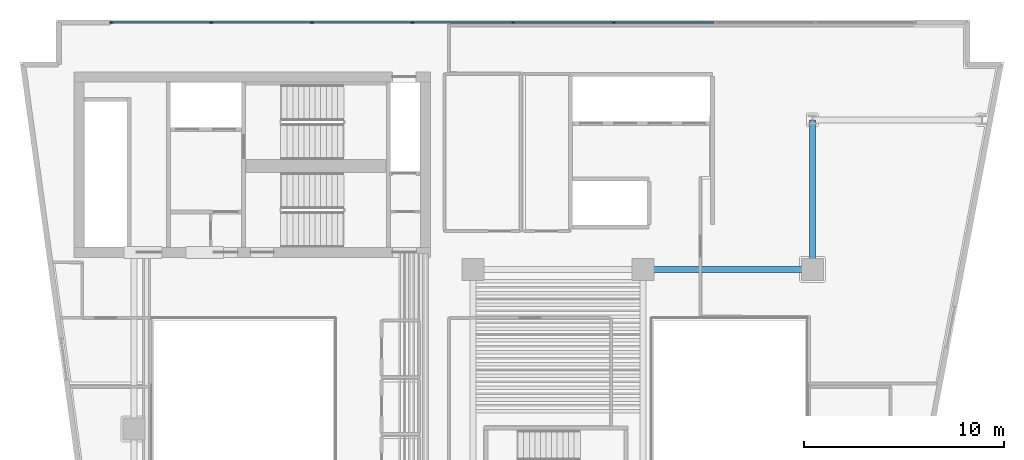
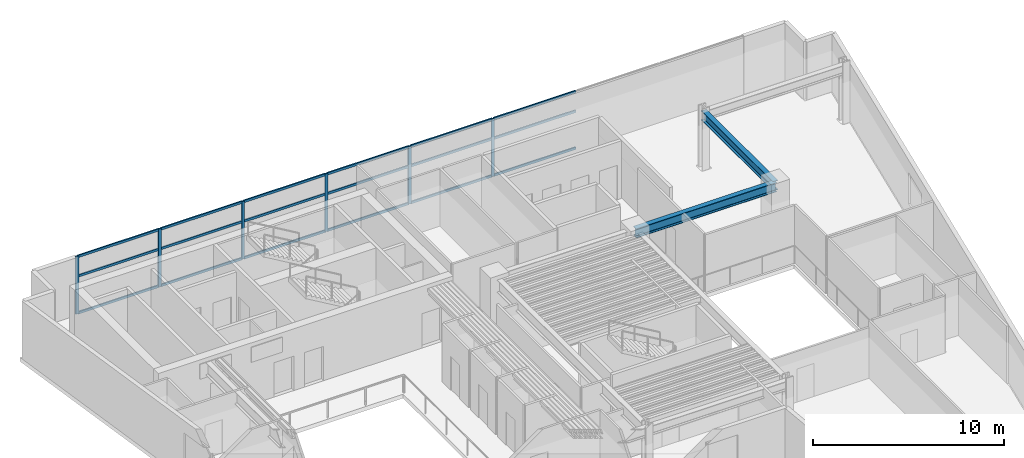
# One storey, part 3 of 13: 24 members, 2 beams, 1 element without a shape of its own.
"""IFC4 building model written with IfcOpenShell, lengths in metres."""

from ifc_helpers import new_model, si_unit, direction, frame, origin, origin_2d, place, context, subcontext, project, spatial, rectangle, i_section, extrude, material, layer, layer_set, material_profile, profile_set, type_object, element, aggregate, save


model = new_model("IFC4")

# Units and contexts
model_context = context("Model", 3, precision=1e-05, world=origin(), true_north=direction((0.0, 1.0)))
body_context = subcontext(model_context, "Body", "Model", "MODEL_VIEW")
ifc_project = project(units=[si_unit("LENGTHUNIT", "METRE"), si_unit("AREAUNIT", "SQUARE_METRE"), si_unit("VOLUMEUNIT", "CUBIC_METRE"), si_unit("PLANEANGLEUNIT", "RADIAN"), si_unit("MASSUNIT", "GRAM", prefix="KILO")], contexts=[model_context])

# Site, building, storey
site_placement = place(None, origin())
site = spatial("IfcSite", under=ifc_project, at=site_placement, CompositionType="ELEMENT")
building_placement = place(site_placement, origin())
building = spatial("IfcBuilding", under=site, at=building_placement, Name="Caeloran Harvest Quay", CompositionType="ELEMENT")
storey_placement = place(building_placement, frame((0.0, 0.0, 170.64990234375)))
storey = spatial("IfcBuildingStorey", under=building, at=storey_placement, Name="L40", CompositionType="ELEMENT", Elevation=170.64990234375)

# Beams
ifc_material_1 = material(Name="Steel S355J2", Category="steel")
ifc_material_profile_1 = material_profile(ifc_material_1, i_section(OverallWidth=0.300048828125, OverallDepth=0.60009765625, WebThickness=0.015380859375, FlangeThickness=0.030029296875, FilletRadius=0.027099609375, at=origin_2d()), Name="HE 600 B")
ifc_profile_set_1 = profile_set([ifc_material_profile_1], Name="Steel S355J2")
beam_type = type_object("IfcBeamType", Name="BM-PG-3-HE_600_B", PredefinedType="BEAM", material=ifc_profile_set_1)
beam_1_placement = place(storey_placement, frame((34.0, 31.0, 3.39013671875), z_axis=(1.0, 0.0, 0.0), x_axis=(0.0, 1.0, 0.0)))
element("IfcBeam", 1, at=beam_1_placement, inside=storey, type_object=beam_type, Name="L40 Primary East-West Girder Y=31.0", PredefinedType="BEAM", context=body_context, shape_type="SweptSolid", body=[
    extrude(i_section(OverallWidth=0.300048828125, OverallDepth=0.60009765625, WebThickness=0.015380859375, FlangeThickness=0.030029296875, FilletRadius=0.027099609375, at=origin_2d()), origin(), (0.0, 0.0, 1.0), 8.5),
])
beam_2_placement = place(storey_placement, frame((42.5, 31.0, 3.39013671875), z_axis=(0.0, 1.0, 0.0), x_axis=(-1.0, 0.0, 0.0)))
element("IfcBeam", 2, at=beam_2_placement, inside=storey, type_object=beam_type, Name="L40 Primary North-South Girder X=42.5", PredefinedType="BEAM", context=body_context, shape_type="SweptSolid", body=[
    extrude(i_section(OverallWidth=0.300048828125, OverallDepth=0.60009765625, WebThickness=0.015380859375, FlangeThickness=0.030029296875, FilletRadius=0.027099609375, at=origin_2d()), origin(), (0.0, 0.0, 1.0), 7.5),
])

# Curtain wall, members
ifc_material_2 = material(Name="Aluminium 6063-T6 and Low-E Glazing", Category="aluminium")
ifc_layer = layer(ifc_material_2, 0.22998046875, Name="Aluminium 6063-T6 and Low-E Glazing")
ifc_layer_set = layer_set([ifc_layer], Name="Aluminium 6063-T6 and Low-E Glazing")
curtain_wall_type = type_object("IfcCurtainWallType", Name="CW-SYS-CW-6", PredefinedType="USERDEFINED", material=ifc_layer_set)
curtain_wall_placement = place(storey_placement, origin())
curtain_wall = element("IfcCurtainWall", 3, at=curtain_wall_placement, inside=storey, type_object=curtain_wall_type, Name="L40 Unitised Curtain Wall CW-6 Run 6", ObjectType="CURTAIN_WALL", PredefinedType="USERDEFINED")
ifc_material_3 = material(Name="Aluminium 6063-T6", Category="aluminium")
ifc_material_profile_2 = material_profile(ifc_material_3, rectangle(XDim=0.080078125, YDim=0.179931640625, at=origin_2d()), Name="CW-MULLION-180")
ifc_profile_set_2 = profile_set([ifc_material_profile_2], Name="Aluminium 6063-T6")
member_type_1 = type_object("IfcMemberType", Name="CW-MULLION-180", PredefinedType="MULLION", material=ifc_profile_set_2)
member_1_placement = place(storey_placement, frame((7.3701171875, 43.3701171875, 0.0), z_axis=(0.0, 0.0, 1.0), x_axis=(0.0, 1.0, 0.0)))
member_1 = element("IfcMember", 4, at=member_1_placement, type_object=member_type_1, Name="CW-6 mullion 1", PredefinedType="MULLION", context=body_context, shape_type="SweptSolid", body=[
    extrude(rectangle(XDim=0.080078125, YDim=0.179931640625, at=origin_2d()), origin(), (0.0, 0.0, 1.0), 3.690185546875),
])
member_2_placement = place(storey_placement, frame((12.37255859375, 43.3701171875, 0.0), z_axis=(0.0, 0.0, 1.0), x_axis=(0.0, 1.0, 0.0)))
member_2 = element("IfcMember", 5, at=member_2_placement, type_object=member_type_1, Name="CW-6 mullion 2", PredefinedType="MULLION", context=body_context, shape_type="SweptSolid", body=[
    extrude(rectangle(XDim=0.080078125, YDim=0.179931640625, at=origin_2d()), origin(), (0.0, 0.0, 1.0), 3.690185546875),
])
member_3_placement = place(storey_placement, frame((17.4150390625, 43.3701171875, 0.0), z_axis=(0.0, 0.0, 1.0), x_axis=(0.0, 1.0, 0.0)))
member_3 = element("IfcMember", 6, at=member_3_placement, type_object=member_type_1, Name="CW-6 mullion 3", PredefinedType="MULLION", context=body_context, shape_type="SweptSolid", body=[
    extrude(rectangle(XDim=0.080078125, YDim=0.179931640625, at=origin_2d()), origin(), (0.0, 0.0, 1.0), 3.690185546875),
])
member_4_placement = place(storey_placement, frame((22.45751953125, 43.3701171875, 0.0), z_axis=(0.0, 0.0, 1.0), x_axis=(0.0, 1.0, 0.0)))
member_4 = element("IfcMember", 7, at=member_4_placement, type_object=member_type_1, Name="CW-6 mullion 4", PredefinedType="MULLION", context=body_context, shape_type="SweptSolid", body=[
    extrude(rectangle(XDim=0.080078125, YDim=0.179931640625, at=origin_2d()), origin(), (0.0, 0.0, 1.0), 3.690185546875),
])
member_5_placement = place(storey_placement, frame((27.5, 43.3701171875, 0.0), z_axis=(0.0, 0.0, 1.0), x_axis=(0.0, 1.0, 0.0)))
member_5 = element("IfcMember", 8, at=member_5_placement, type_object=member_type_1, Name="CW-6 mullion 5", PredefinedType="MULLION", context=body_context, shape_type="SweptSolid", body=[
    extrude(rectangle(XDim=0.080078125, YDim=0.179931640625, at=origin_2d()), origin(), (0.0, 0.0, 1.0), 3.690185546875),
])
member_6_placement = place(storey_placement, frame((32.54248046875, 43.3701171875, 0.0), z_axis=(0.0, 0.0, 1.0), x_axis=(0.0, 1.0, 0.0)))
member_6 = element("IfcMember", 9, at=member_6_placement, type_object=member_type_1, Name="CW-6 mullion 6", PredefinedType="MULLION", context=body_context, shape_type="SweptSolid", body=[
    extrude(rectangle(XDim=0.080078125, YDim=0.179931640625, at=origin_2d()), origin(), (0.0, 0.0, 1.0), 3.690185546875),
])
ifc_material_profile_3 = material_profile(ifc_material_3, rectangle(XDim=0.080078125, YDim=0.14990234375, at=origin_2d()), Name="CW-TRANSOM-150")
ifc_profile_set_3 = profile_set([ifc_material_profile_3], Name="Aluminium 6063-T6")
member_type_2 = type_object("IfcMemberType", Name="CW-TRANSOM-150", PredefinedType="USERDEFINED", material=ifc_profile_set_3)
member_7_placement = place(storey_placement, frame((7.409912109375, 43.3701171875, 0.0400390625), z_axis=(1.0, 0.0, 0.0), x_axis=(0.0, 1.0, 0.0)))
member_7 = element("IfcMember", 10, at=member_7_placement, type_object=member_type_2, Name="CW-6 transom 1.1", ObjectType="TRANSOM", PredefinedType="USERDEFINED", context=body_context, shape_type="SweptSolid", body=[
    extrude(rectangle(XDim=0.080078125, YDim=0.14990234375, at=origin_2d()), origin(), (0.0, 0.0, 1.0), 4.922607421875),
])
member_8_placement = place(storey_placement, frame((7.409912109375, 43.3701171875, 2.400146484375), z_axis=(1.0, 0.0, 0.0), x_axis=(0.0, 1.0, 0.0)))
member_8 = element("IfcMember", 11, at=member_8_placement, type_object=member_type_2, Name="CW-6 transom 1.2", ObjectType="TRANSOM", PredefinedType="USERDEFINED", context=body_context, shape_type="SweptSolid", body=[
    extrude(rectangle(XDim=0.080078125, YDim=0.14990234375, at=origin_2d()), origin(), (0.0, 0.0, 1.0), 4.922607421875),
])
member_9_placement = place(storey_placement, frame((7.409912109375, 43.3701171875, 3.650146484375), z_axis=(1.0, 0.0, 0.0), x_axis=(0.0, 1.0, 0.0)))
member_9 = element("IfcMember", 12, at=member_9_placement, type_object=member_type_2, Name="CW-6 transom 1.3", ObjectType="TRANSOM", PredefinedType="USERDEFINED", context=body_context, shape_type="SweptSolid", body=[
    extrude(rectangle(XDim=0.080078125, YDim=0.14990234375, at=origin_2d()), origin(), (0.0, 0.0, 1.0), 4.922607421875),
])
member_10_placement = place(storey_placement, frame((12.41259765625, 43.3701171875, 0.0400390625), z_axis=(1.0, 0.0, 0.0), x_axis=(0.0, 1.0, 0.0)))
member_10 = element("IfcMember", 13, at=member_10_placement, type_object=member_type_2, Name="CW-6 transom 2.1", ObjectType="TRANSOM", PredefinedType="USERDEFINED", context=body_context, shape_type="SweptSolid", body=[
    extrude(rectangle(XDim=0.080078125, YDim=0.14990234375, at=origin_2d()), origin(), (0.0, 0.0, 1.0), 4.96240234375),
])
member_11_placement = place(storey_placement, frame((12.41259765625, 43.3701171875, 2.400146484375), z_axis=(1.0, 0.0, 0.0), x_axis=(0.0, 1.0, 0.0)))
member_11 = element("IfcMember", 14, at=member_11_placement, type_object=member_type_2, Name="CW-6 transom 2.2", ObjectType="TRANSOM", PredefinedType="USERDEFINED", context=body_context, shape_type="SweptSolid", body=[
    extrude(rectangle(XDim=0.080078125, YDim=0.14990234375, at=origin_2d()), origin(), (0.0, 0.0, 1.0), 4.96240234375),
])
member_12_placement = place(storey_placement, frame((12.41259765625, 43.3701171875, 3.650146484375), z_axis=(1.0, 0.0, 0.0), x_axis=(0.0, 1.0, 0.0)))
member_12 = element("IfcMember", 15, at=member_12_placement, type_object=member_type_2, Name="CW-6 transom 2.3", ObjectType="TRANSOM", PredefinedType="USERDEFINED", context=body_context, shape_type="SweptSolid", body=[
    extrude(rectangle(XDim=0.080078125, YDim=0.14990234375, at=origin_2d()), origin(), (0.0, 0.0, 1.0), 4.96240234375),
])
member_13_placement = place(storey_placement, frame((17.455078125, 43.3701171875, 0.0400390625), z_axis=(1.0, 0.0, 0.0), x_axis=(0.0, 1.0, 0.0)))
member_13 = element("IfcMember", 16, at=member_13_placement, type_object=member_type_2, Name="CW-6 transom 3.1", ObjectType="TRANSOM", PredefinedType="USERDEFINED", context=body_context, shape_type="SweptSolid", body=[
    extrude(rectangle(XDim=0.080078125, YDim=0.14990234375, at=origin_2d()), origin(), (0.0, 0.0, 1.0), 4.96240234375),
])
member_14_placement = place(storey_placement, frame((17.455078125, 43.3701171875, 2.400146484375), z_axis=(1.0, 0.0, 0.0), x_axis=(0.0, 1.0, 0.0)))
member_14 = element("IfcMember", 17, at=member_14_placement, type_object=member_type_2, Name="CW-6 transom 3.2", ObjectType="TRANSOM", PredefinedType="USERDEFINED", context=body_context, shape_type="SweptSolid", body=[
    extrude(rectangle(XDim=0.080078125, YDim=0.14990234375, at=origin_2d()), origin(), (0.0, 0.0, 1.0), 4.96240234375),
])
member_15_placement = place(storey_placement, frame((17.455078125, 43.3701171875, 3.650146484375), z_axis=(1.0, 0.0, 0.0), x_axis=(0.0, 1.0, 0.0)))
member_15 = element("IfcMember", 18, at=member_15_placement, type_object=member_type_2, Name="CW-6 transom 3.3", ObjectType="TRANSOM", PredefinedType="USERDEFINED", context=body_context, shape_type="SweptSolid", body=[
    extrude(rectangle(XDim=0.080078125, YDim=0.14990234375, at=origin_2d()), origin(), (0.0, 0.0, 1.0), 4.96240234375),
])
member_16_placement = place(storey_placement, frame((22.49755859375, 43.3701171875, 0.0400390625), z_axis=(1.0, 0.0, 0.0), x_axis=(0.0, 1.0, 0.0)))
member_16 = element("IfcMember", 19, at=member_16_placement, type_object=member_type_2, Name="CW-6 transom 4.1", ObjectType="TRANSOM", PredefinedType="USERDEFINED", context=body_context, shape_type="SweptSolid", body=[
    extrude(rectangle(XDim=0.080078125, YDim=0.14990234375, at=origin_2d()), origin(), (0.0, 0.0, 1.0), 4.96240234375),
])
member_17_placement = place(storey_placement, frame((22.49755859375, 43.3701171875, 2.400146484375), z_axis=(1.0, 0.0, 0.0), x_axis=(0.0, 1.0, 0.0)))
member_17 = element("IfcMember", 20, at=member_17_placement, type_object=member_type_2, Name="CW-6 transom 4.2", ObjectType="TRANSOM", PredefinedType="USERDEFINED", context=body_context, shape_type="SweptSolid", body=[
    extrude(rectangle(XDim=0.080078125, YDim=0.14990234375, at=origin_2d()), origin(), (0.0, 0.0, 1.0), 4.96240234375),
])
member_18_placement = place(storey_placement, frame((22.49755859375, 43.3701171875, 3.650146484375), z_axis=(1.0, 0.0, 0.0), x_axis=(0.0, 1.0, 0.0)))
member_18 = element("IfcMember", 21, at=member_18_placement, type_object=member_type_2, Name="CW-6 transom 4.3", ObjectType="TRANSOM", PredefinedType="USERDEFINED", context=body_context, shape_type="SweptSolid", body=[
    extrude(rectangle(XDim=0.080078125, YDim=0.14990234375, at=origin_2d()), origin(), (0.0, 0.0, 1.0), 4.96240234375),
])
member_19_placement = place(storey_placement, frame((27.5400390625, 43.3701171875, 0.0400390625), z_axis=(1.0, 0.0, 0.0), x_axis=(0.0, 1.0, 0.0)))
member_19 = element("IfcMember", 22, at=member_19_placement, type_object=member_type_2, Name="CW-6 transom 5.1", ObjectType="TRANSOM", PredefinedType="USERDEFINED", context=body_context, shape_type="SweptSolid", body=[
    extrude(rectangle(XDim=0.080078125, YDim=0.14990234375, at=origin_2d()), origin(), (0.0, 0.0, 1.0), 4.96240234375),
])
member_20_placement = place(storey_placement, frame((27.5400390625, 43.3701171875, 2.400146484375), z_axis=(1.0, 0.0, 0.0), x_axis=(0.0, 1.0, 0.0)))
member_20 = element("IfcMember", 23, at=member_20_placement, type_object=member_type_2, Name="CW-6 transom 5.2", ObjectType="TRANSOM", PredefinedType="USERDEFINED", context=body_context, shape_type="SweptSolid", body=[
    extrude(rectangle(XDim=0.080078125, YDim=0.14990234375, at=origin_2d()), origin(), (0.0, 0.0, 1.0), 4.96240234375),
])
member_21_placement = place(storey_placement, frame((27.5400390625, 43.3701171875, 3.650146484375), z_axis=(1.0, 0.0, 0.0), x_axis=(0.0, 1.0, 0.0)))
member_21 = element("IfcMember", 24, at=member_21_placement, type_object=member_type_2, Name="CW-6 transom 5.3", ObjectType="TRANSOM", PredefinedType="USERDEFINED", context=body_context, shape_type="SweptSolid", body=[
    extrude(rectangle(XDim=0.080078125, YDim=0.14990234375, at=origin_2d()), origin(), (0.0, 0.0, 1.0), 4.96240234375),
])
member_22_placement = place(storey_placement, frame((32.58251953125, 43.3701171875, 0.0400390625), z_axis=(1.0, 0.0, 0.0), x_axis=(0.0, 1.0, 0.0)))
member_22 = element("IfcMember", 25, at=member_22_placement, type_object=member_type_2, Name="CW-6 transom 6.1", ObjectType="TRANSOM", PredefinedType="USERDEFINED", context=body_context, shape_type="SweptSolid", body=[
    extrude(rectangle(XDim=0.080078125, YDim=0.14990234375, at=origin_2d()), origin(), (0.0, 0.0, 1.0), 4.96240234375),
])
member_23_placement = place(storey_placement, frame((32.58251953125, 43.3701171875, 2.400146484375), z_axis=(1.0, 0.0, 0.0), x_axis=(0.0, 1.0, 0.0)))
member_23 = element("IfcMember", 26, at=member_23_placement, type_object=member_type_2, Name="CW-6 transom 6.2", ObjectType="TRANSOM", PredefinedType="USERDEFINED", context=body_context, shape_type="SweptSolid", body=[
    extrude(rectangle(XDim=0.080078125, YDim=0.14990234375, at=origin_2d()), origin(), (0.0, 0.0, 1.0), 4.96240234375),
])
member_24_placement = place(storey_placement, frame((32.58251953125, 43.3701171875, 3.650146484375), z_axis=(1.0, 0.0, 0.0), x_axis=(0.0, 1.0, 0.0)))
member_24 = element("IfcMember", 27, at=member_24_placement, type_object=member_type_2, Name="CW-6 transom 6.3", ObjectType="TRANSOM", PredefinedType="USERDEFINED", context=body_context, shape_type="SweptSolid", body=[
    extrude(rectangle(XDim=0.080078125, YDim=0.14990234375, at=origin_2d()), origin(), (0.0, 0.0, 1.0), 4.96240234375),
])
aggregate(curtain_wall, [member_1, member_2, member_3, member_4, member_5, member_6, member_7, member_8, member_9, member_10, member_11, member_12, member_13, member_14, member_15, member_16, member_17, member_18, member_19, member_20, member_21, member_22, member_23, member_24])

save(model, "model.ifc")
